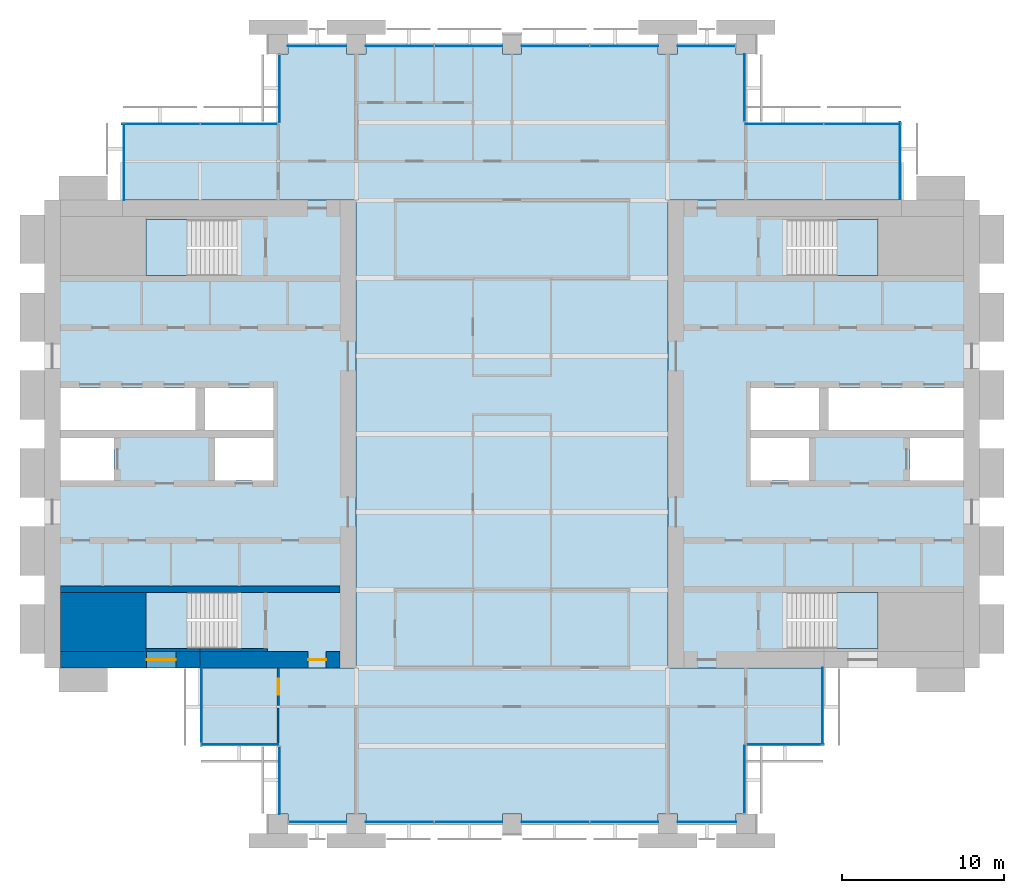
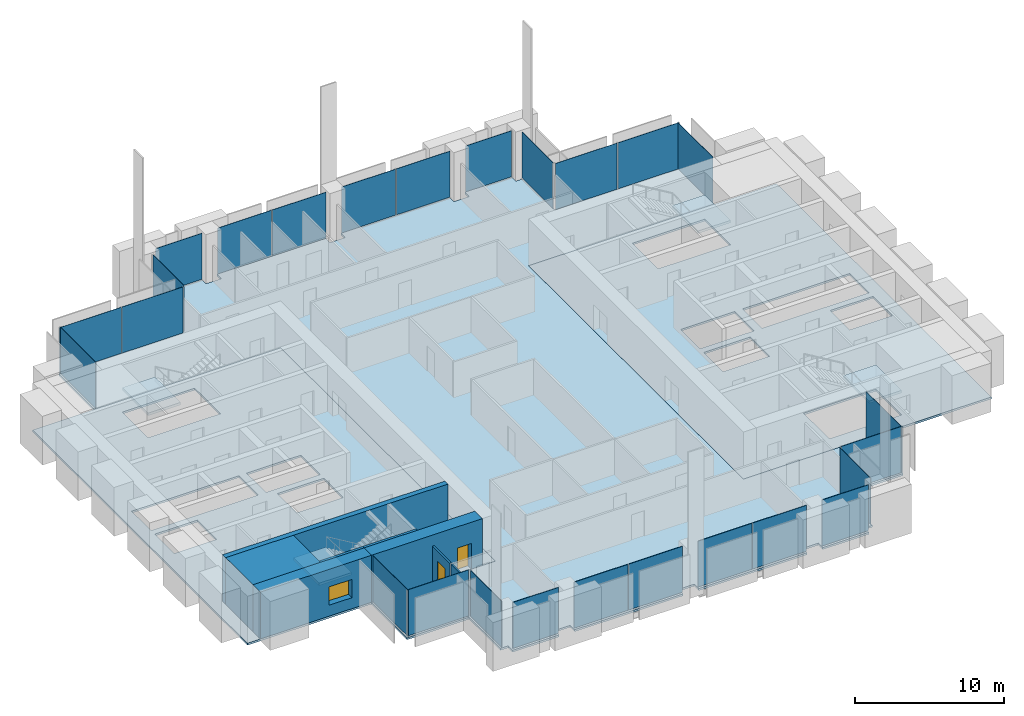
# One storey, part 8 of 14: 26 plates, 8 walls, 7 slabs, 2 doors, 1 window, 3 openings, 18 elements without a shape of their own.
"""IFC4 building model written with IfcOpenShell, lengths in metres."""

from ifc_helpers import new_model, si_unit, direction, frame, frame_2d, origin, origin_2d, place, context, subcontext, project, spatial, polyline, rectangle, outline, extrude, material, layer, layer_set, type_object, element, fill, aggregate, save


model = new_model("IFC4")

# Units and contexts
model_context = context("Model", 3, precision=1e-05, world=origin(), true_north=direction((0.0, 1.0)))
body_context = subcontext(model_context, "Body", "Model", "MODEL_VIEW")
ifc_project = project(units=[si_unit("LENGTHUNIT", "METRE"), si_unit("AREAUNIT", "SQUARE_METRE"), si_unit("VOLUMEUNIT", "CUBIC_METRE"), si_unit("PLANEANGLEUNIT", "RADIAN"), si_unit("MASSUNIT", "GRAM", prefix="KILO")], contexts=[model_context])

# Site, building, storey
site_placement = place(None, origin())
site = spatial("IfcSite", under=ifc_project, at=site_placement, CompositionType="ELEMENT")
building_placement = place(site_placement, origin())
building = spatial("IfcBuilding", under=site, at=building_placement, Name="Baori Bourse Tower", CompositionType="ELEMENT")
storey_placement = place(building_placement, frame((0.0, 0.0, 132.10009765625)))
storey = spatial("IfcBuildingStorey", under=building, at=storey_placement, Name="L28", CompositionType="ELEMENT", Elevation=132.10009765625)

# Curtain wall, plates
ifc_material_1 = material(Name="Pale anodised aluminium", Category="aluminium")
curtain_wall_type_1 = type_object("IfcCurtainWallType", Name="CW1 Curtain wall", PredefinedType="NOTDEFINED", material=ifc_material_1)
curtain_wall_1_placement = place(storey_placement, origin())
curtain_wall_1 = element("IfcCurtainWall", 1, at=curtain_wall_1_placement, inside=storey, type_object=curtain_wall_type_1, Name="Curtain wall CW1 L28 4", PredefinedType="NOTDEFINED")
ifc_material_2 = material(Name="Clear glass", Category="glass")
ifc_layer_1 = layer(ifc_material_2, 0.033935546875)
ifc_layer_set_1 = layer_set([ifc_layer_1], Name="CW1 Curtain wall panel")
plate_type_1 = type_object("IfcPlateType", Name="CW1 Curtain wall panel", PredefinedType="CURTAIN_PANEL", material=ifc_layer_set_1)
plate_1_placement = place(storey_placement, frame((40.77001953125, 47.89990234375, 0.080078125), z_axis=(0.0, 0.0, 1.0), x_axis=(-1.0, 0.0, 0.0)))
plate_1 = element("IfcPlate", 2, at=plate_1_placement, type_object=plate_type_1, Name="Curtain wall CW1 panel", PredefinedType="CURTAIN_PANEL", context=body_context, shape_type="SweptSolid", body=[
    extrude(rectangle(XDim=3.5400390625, YDim=0.033935546875, at=origin_2d()), origin(), (0.0, 0.0, 1.0), 3.760009765625),
])
plate_2_placement = place(storey_placement, frame((35.715087890625, 47.89990234375, 0.080078125), z_axis=(0.0, 0.0, 1.0), x_axis=(-1.0, 0.0, 0.0)))
plate_2 = element("IfcPlate", 3, at=plate_2_placement, type_object=plate_type_1, Name="Curtain wall CW1 panel", PredefinedType="CURTAIN_PANEL", context=body_context, shape_type="SweptSolid", body=[
    extrude(rectangle(XDim=4.169921875, YDim=0.033935546875, at=origin_2d()), origin(), (0.0, 0.0, 1.0), 3.760009765625),
])
plate_3_placement = place(storey_placement, frame((31.485107421875, 47.89990234375, 0.080078125), z_axis=(0.0, 0.0, 1.0), x_axis=(-1.0, 0.0, 0.0)))
plate_3 = element("IfcPlate", 4, at=plate_3_placement, type_object=plate_type_1, Name="Curtain wall CW1 panel", PredefinedType="CURTAIN_PANEL", context=body_context, shape_type="SweptSolid", body=[
    extrude(rectangle(XDim=4.169921875, YDim=0.033935546875, at=origin_2d()), origin(), (0.0, 0.0, 1.0), 3.760009765625),
])
plate_4_placement = place(storey_placement, frame((26.114990234375, 47.89990234375, 0.080078125), z_axis=(0.0, 0.0, 1.0), x_axis=(-1.0, 0.0, 0.0)))
plate_4 = element("IfcPlate", 5, at=plate_4_placement, type_object=plate_type_1, Name="Curtain wall CW1 panel", PredefinedType="CURTAIN_PANEL", context=body_context, shape_type="SweptSolid", body=[
    extrude(rectangle(XDim=4.169921875, YDim=0.033935546875, at=origin_2d()), origin(), (0.0, 0.0, 1.0), 3.760009765625),
])
plate_5_placement = place(storey_placement, frame((21.885009765625, 47.89990234375, 0.080078125), z_axis=(0.0, 0.0, 1.0), x_axis=(-1.0, 0.0, 0.0)))
plate_5 = element("IfcPlate", 6, at=plate_5_placement, type_object=plate_type_1, Name="Curtain wall CW1 panel", PredefinedType="CURTAIN_PANEL", context=body_context, shape_type="SweptSolid", body=[
    extrude(rectangle(XDim=4.169921875, YDim=0.033935546875, at=origin_2d()), origin(), (0.0, 0.0, 1.0), 3.760009765625),
])
plate_6_placement = place(storey_placement, frame((16.800048828125, 47.89990234375, 0.080078125), z_axis=(0.0, 0.0, 1.0), x_axis=(-1.0, 0.0, 0.0)))
plate_6 = element("IfcPlate", 7, at=plate_6_placement, type_object=plate_type_1, Name="Curtain wall CW1 panel", PredefinedType="CURTAIN_PANEL", context=body_context, shape_type="SweptSolid", body=[
    extrude(rectangle(XDim=3.60009765625, YDim=0.033935546875, at=origin_2d()), origin(), (0.0, 0.0, 1.0), 3.760009765625),
])
aggregate(curtain_wall_1, [plate_1, plate_2, plate_3, plate_4, plate_5, plate_6])

curtain_wall_2_placement = place(storey_placement, origin())
curtain_wall_2 = element("IfcCurtainWall", 8, at=curtain_wall_2_placement, inside=storey, type_object=curtain_wall_type_1, Name="Curtain wall CW1 L28 11", PredefinedType="NOTDEFINED")
plate_7_placement = place(storey_placement, frame((16.830078125, 0.10009765625, 0.080078125), z_axis=(0.0, 0.0, 1.0), x_axis=(1.0, 0.0, 0.0)))
plate_7 = element("IfcPlate", 9, at=plate_7_placement, type_object=plate_type_1, Name="Curtain wall CW1 panel", PredefinedType="CURTAIN_PANEL", context=body_context, shape_type="SweptSolid", body=[
    extrude(rectangle(XDim=3.5400390625, YDim=0.033935546875, at=origin_2d()), origin(), (0.0, 0.0, 1.0), 3.760009765625),
])
plate_8_placement = place(storey_placement, frame((21.885009765625, 0.10009765625, 0.080078125), z_axis=(0.0, 0.0, 1.0), x_axis=(1.0, 0.0, 0.0)))
plate_8 = element("IfcPlate", 10, at=plate_8_placement, type_object=plate_type_1, Name="Curtain wall CW1 panel", PredefinedType="CURTAIN_PANEL", context=body_context, shape_type="SweptSolid", body=[
    extrude(rectangle(XDim=4.169921875, YDim=0.033935546875, at=origin_2d()), origin(), (0.0, 0.0, 1.0), 3.760009765625),
])
plate_9_placement = place(storey_placement, frame((26.114990234375, 0.10009765625, 0.080078125), z_axis=(0.0, 0.0, 1.0), x_axis=(1.0, 0.0, 0.0)))
plate_9 = element("IfcPlate", 11, at=plate_9_placement, type_object=plate_type_1, Name="Curtain wall CW1 panel", PredefinedType="CURTAIN_PANEL", context=body_context, shape_type="SweptSolid", body=[
    extrude(rectangle(XDim=4.169921875, YDim=0.033935546875, at=origin_2d()), origin(), (0.0, 0.0, 1.0), 3.760009765625),
])
plate_10_placement = place(storey_placement, frame((31.485107421875, 0.10009765625, 0.080078125), z_axis=(0.0, 0.0, 1.0), x_axis=(1.0, 0.0, 0.0)))
plate_10 = element("IfcPlate", 12, at=plate_10_placement, type_object=plate_type_1, Name="Curtain wall CW1 panel", PredefinedType="CURTAIN_PANEL", context=body_context, shape_type="SweptSolid", body=[
    extrude(rectangle(XDim=4.169921875, YDim=0.033935546875, at=origin_2d()), origin(), (0.0, 0.0, 1.0), 3.760009765625),
])
plate_11_placement = place(storey_placement, frame((35.715087890625, 0.10009765625, 0.080078125), z_axis=(0.0, 0.0, 1.0), x_axis=(1.0, 0.0, 0.0)))
plate_11 = element("IfcPlate", 13, at=plate_11_placement, type_object=plate_type_1, Name="Curtain wall CW1 panel", PredefinedType="CURTAIN_PANEL", context=body_context, shape_type="SweptSolid", body=[
    extrude(rectangle(XDim=4.169921875, YDim=0.033935546875, at=origin_2d()), origin(), (0.0, 0.0, 1.0), 3.760009765625),
])
plate_12_placement = place(storey_placement, frame((40.800048828125, 0.10009765625, 0.080078125), z_axis=(0.0, 0.0, 1.0), x_axis=(1.0, 0.0, 0.0)))
plate_12 = element("IfcPlate", 14, at=plate_12_placement, type_object=plate_type_1, Name="Curtain wall CW1 panel", PredefinedType="CURTAIN_PANEL", context=body_context, shape_type="SweptSolid", body=[
    extrude(rectangle(XDim=3.60009765625, YDim=0.033935546875, at=origin_2d()), origin(), (0.0, 0.0, 1.0), 3.760009765625),
])
aggregate(curtain_wall_2, [plate_7, plate_8, plate_9, plate_10, plate_11, plate_12])

# Curtain wall, plate
ifc_material_3 = material(Name="Pale anodised aluminium", Category="aluminium")
curtain_wall_type_2 = type_object("IfcCurtainWallType", Name="CW2 Curtain wall", PredefinedType="NOTDEFINED", material=ifc_material_3)
curtain_wall_3_placement = place(storey_placement, origin())
curtain_wall_3 = element("IfcCurtainWall", 15, at=curtain_wall_3_placement, inside=storey, type_object=curtain_wall_type_2, Name="Curtain wall CW2 L28 1", PredefinedType="NOTDEFINED")
ifc_material_4 = material(Name="Clear glass", Category="glass")
ifc_layer_2 = layer(ifc_material_4, 0.030029296875)
ifc_layer_set_2 = layer_set([ifc_layer_2], Name="CW2 Curtain wall panel")
plate_type_2 = type_object("IfcPlateType", Name="CW2 Curtain wall panel", PredefinedType="CURTAIN_PANEL", material=ifc_layer_set_2)
plate_13_placement = place(storey_placement, frame((52.7099609375, 40.827392578125, 0.06982421875), z_axis=(0.0, 0.0, 1.0), x_axis=(0.0, 1.0, 0.0)))
plate_13 = element("IfcPlate", 16, at=plate_13_placement, type_object=plate_type_2, Name="Curtain wall CW2 panel", PredefinedType="CURTAIN_PANEL", context=body_context, shape_type="SweptSolid", body=[
    extrude(rectangle(XDim=4.7451171875, YDim=0.030029296875, at=origin_2d()), origin(), (0.0, 0.0, 1.0), 3.77001953125),
])
aggregate(curtain_wall_3, [plate_13])

# Curtain wall, plates
curtain_wall_4_placement = place(storey_placement, origin())
curtain_wall_4 = element("IfcCurtainWall", 17, at=curtain_wall_4_placement, inside=storey, type_object=curtain_wall_type_2, Name="Curtain wall CW2 L28 2", PredefinedType="NOTDEFINED")
plate_14_placement = place(storey_placement, frame((50.38623046875, 43.110107421875, 0.06982421875), z_axis=(0.0, 0.0, 1.0), x_axis=(-1.0, 0.0, 0.0)))
plate_14 = element("IfcPlate", 18, at=plate_14_placement, type_object=plate_type_2, Name="Curtain wall CW2 panel", PredefinedType="CURTAIN_PANEL", context=body_context, shape_type="SweptSolid", body=[
    extrude(rectangle(XDim=4.717529296875, YDim=0.030029296875, at=origin_2d()), origin(), (0.0, 0.0, 1.0), 3.77001953125),
])
plate_15_placement = place(storey_placement, frame((45.586181640625, 43.110107421875, 0.06982421875), z_axis=(0.0, 0.0, 1.0), x_axis=(-1.0, 0.0, 0.0)))
plate_15 = element("IfcPlate", 19, at=plate_15_placement, type_object=plate_type_2, Name="Curtain wall CW2 panel", PredefinedType="CURTAIN_PANEL", context=body_context, shape_type="SweptSolid", body=[
    extrude(rectangle(XDim=4.7724609375, YDim=0.030029296875, at=origin_2d()), origin(), (0.0, 0.0, 1.0), 3.77001953125),
])
aggregate(curtain_wall_4, [plate_14, plate_15])

# Curtain wall, plate
curtain_wall_5_placement = place(storey_placement, origin())
curtain_wall_5 = element("IfcCurtainWall", 20, at=curtain_wall_5_placement, inside=storey, type_object=curtain_wall_type_2, Name="Curtain wall CW2 L28 3", PredefinedType="NOTDEFINED")
plate_16_placement = place(storey_placement, frame((43.110107421875, 45.327392578125, 0.06982421875), z_axis=(0.0, 0.0, 1.0), x_axis=(0.0, 1.0, 0.0)))
plate_16 = element("IfcPlate", 21, at=plate_16_placement, type_object=plate_type_2, Name="Curtain wall CW2 panel", PredefinedType="CURTAIN_PANEL", context=body_context, shape_type="SweptSolid", body=[
    extrude(rectangle(XDim=4.14501953125, YDim=0.030029296875, at=origin_2d()), origin(), (0.0, 0.0, 1.0), 3.77001953125),
])
aggregate(curtain_wall_5, [plate_16])

curtain_wall_6_placement = place(storey_placement, origin())
curtain_wall_6 = element("IfcCurtainWall", 22, at=curtain_wall_6_placement, inside=storey, type_object=curtain_wall_type_2, Name="Curtain wall CW2 L28 5", PredefinedType="NOTDEFINED")
plate_17_placement = place(storey_placement, frame((14.489990234375, 45.2724609375, 0.06982421875), z_axis=(0.0, 0.0, 1.0), x_axis=(0.0, -1.0, 0.0)))
plate_17 = element("IfcPlate", 23, at=plate_17_placement, type_object=plate_type_2, Name="Curtain wall CW2 panel", PredefinedType="CURTAIN_PANEL", context=body_context, shape_type="SweptSolid", body=[
    extrude(rectangle(XDim=4.14501953125, YDim=0.030029296875, at=origin_2d()), origin(), (0.0, 0.0, 1.0), 3.77001953125),
])
aggregate(curtain_wall_6, [plate_17])

# Curtain wall, plates
curtain_wall_7_placement = place(storey_placement, origin())
curtain_wall_7 = element("IfcCurtainWall", 24, at=curtain_wall_7_placement, inside=storey, type_object=curtain_wall_type_2, Name="Curtain wall CW2 L28 6", PredefinedType="NOTDEFINED")
plate_18_placement = place(storey_placement, frame((11.986328125, 43.110107421875, 0.06982421875), z_axis=(0.0, 0.0, 1.0), x_axis=(-1.0, 0.0, 0.0)))
plate_18 = element("IfcPlate", 25, at=plate_18_placement, type_object=plate_type_2, Name="Curtain wall CW2 panel", PredefinedType="CURTAIN_PANEL", context=body_context, shape_type="SweptSolid", body=[
    extrude(rectangle(XDim=4.717529296875, YDim=0.030029296875, at=origin_2d()), origin(), (0.0, 0.0, 1.0), 3.77001953125),
])
plate_19_placement = place(storey_placement, frame((7.186279296875, 43.110107421875, 0.06982421875), z_axis=(0.0, 0.0, 1.0), x_axis=(-1.0, 0.0, 0.0)))
plate_19 = element("IfcPlate", 26, at=plate_19_placement, type_object=plate_type_2, Name="Curtain wall CW2 panel", PredefinedType="CURTAIN_PANEL", context=body_context, shape_type="SweptSolid", body=[
    extrude(rectangle(XDim=4.7724609375, YDim=0.030029296875, at=origin_2d()), origin(), (0.0, 0.0, 1.0), 3.77001953125),
])
aggregate(curtain_wall_7, [plate_18, plate_19])

# Curtain wall, plate
curtain_wall_8_placement = place(storey_placement, origin())
curtain_wall_8 = element("IfcCurtainWall", 27, at=curtain_wall_8_placement, inside=storey, type_object=curtain_wall_type_2, Name="Curtain wall CW2 L28 7", PredefinedType="NOTDEFINED")
plate_20_placement = place(storey_placement, frame((4.889892578125, 40.7724609375, 0.06982421875), z_axis=(0.0, 0.0, 1.0), x_axis=(0.0, -1.0, 0.0)))
plate_20 = element("IfcPlate", 28, at=plate_20_placement, type_object=plate_type_2, Name="Curtain wall CW2 panel", PredefinedType="CURTAIN_PANEL", context=body_context, shape_type="SweptSolid", body=[
    extrude(rectangle(XDim=4.7451171875, YDim=0.030029296875, at=origin_2d()), origin(), (0.0, 0.0, 1.0), 3.77001953125),
])
aggregate(curtain_wall_8, [plate_20])

curtain_wall_9_placement = place(storey_placement, origin())
curtain_wall_9 = element("IfcCurtainWall", 29, at=curtain_wall_9_placement, inside=storey, type_object=curtain_wall_type_2, Name="Curtain wall CW2 L28 8", PredefinedType="NOTDEFINED")
plate_21_placement = place(storey_placement, frame((9.68994140625, 7.172607421875, 0.06982421875), z_axis=(0.0, 0.0, 1.0), x_axis=(0.0, -1.0, 0.0)))
plate_21 = element("IfcPlate", 30, at=plate_21_placement, type_object=plate_type_2, Name="Curtain wall CW2 panel", PredefinedType="CURTAIN_PANEL", context=body_context, shape_type="SweptSolid", body=[
    extrude(rectangle(XDim=4.7451171875, YDim=0.030029296875, at=origin_2d()), origin(), (0.0, 0.0, 1.0), 3.77001953125),
])
aggregate(curtain_wall_9, [plate_21])

curtain_wall_10_placement = place(storey_placement, origin())
curtain_wall_10 = element("IfcCurtainWall", 31, at=curtain_wall_10_placement, inside=storey, type_object=curtain_wall_type_2, Name="Curtain wall CW2 L28 9", PredefinedType="NOTDEFINED")
plate_22_placement = place(storey_placement, frame((12.027587890625, 4.889892578125, 0.06982421875), z_axis=(0.0, 0.0, 1.0), x_axis=(1.0, 0.0, 0.0)))
plate_22 = element("IfcPlate", 32, at=plate_22_placement, type_object=plate_type_2, Name="Curtain wall CW2 panel", PredefinedType="CURTAIN_PANEL", context=body_context, shape_type="SweptSolid", body=[
    extrude(rectangle(XDim=4.7451171875, YDim=0.030029296875, at=origin_2d()), origin(), (0.0, 0.0, 1.0), 3.77001953125),
])
aggregate(curtain_wall_10, [plate_22])

curtain_wall_11_placement = place(storey_placement, origin())
curtain_wall_11 = element("IfcCurtainWall", 33, at=curtain_wall_11_placement, inside=storey, type_object=curtain_wall_type_2, Name="Curtain wall CW2 L28 10", PredefinedType="NOTDEFINED")
plate_23_placement = place(storey_placement, frame((14.489990234375, 2.672607421875, 0.06982421875), z_axis=(0.0, 0.0, 1.0), x_axis=(0.0, -1.0, 0.0)))
plate_23 = element("IfcPlate", 34, at=plate_23_placement, type_object=plate_type_2, Name="Curtain wall CW2 panel", PredefinedType="CURTAIN_PANEL", context=body_context, shape_type="SweptSolid", body=[
    extrude(rectangle(XDim=4.14501953125, YDim=0.030029296875, at=origin_2d()), origin(), (0.0, 0.0, 1.0), 3.77001953125),
])
aggregate(curtain_wall_11, [plate_23])

curtain_wall_12_placement = place(storey_placement, origin())
curtain_wall_12 = element("IfcCurtainWall", 35, at=curtain_wall_12_placement, inside=storey, type_object=curtain_wall_type_2, Name="Curtain wall CW2 L28 12", PredefinedType="NOTDEFINED")
plate_24_placement = place(storey_placement, frame((43.110107421875, 2.7275390625, 0.06982421875), z_axis=(0.0, 0.0, 1.0), x_axis=(0.0, 1.0, 0.0)))
plate_24 = element("IfcPlate", 36, at=plate_24_placement, type_object=plate_type_2, Name="Curtain wall CW2 panel", PredefinedType="CURTAIN_PANEL", context=body_context, shape_type="SweptSolid", body=[
    extrude(rectangle(XDim=4.14501953125, YDim=0.030029296875, at=origin_2d()), origin(), (0.0, 0.0, 1.0), 3.77001953125),
])
aggregate(curtain_wall_12, [plate_24])

curtain_wall_13_placement = place(storey_placement, origin())
curtain_wall_13 = element("IfcCurtainWall", 37, at=curtain_wall_13_placement, inside=storey, type_object=curtain_wall_type_2, Name="Curtain wall CW2 L28 13", PredefinedType="NOTDEFINED")
plate_25_placement = place(storey_placement, frame((45.62744140625, 4.889892578125, 0.06982421875), z_axis=(0.0, 0.0, 1.0), x_axis=(1.0, 0.0, 0.0)))
plate_25 = element("IfcPlate", 38, at=plate_25_placement, type_object=plate_type_2, Name="Curtain wall CW2 panel", PredefinedType="CURTAIN_PANEL", context=body_context, shape_type="SweptSolid", body=[
    extrude(rectangle(XDim=4.7451171875, YDim=0.030029296875, at=origin_2d()), origin(), (0.0, 0.0, 1.0), 3.77001953125),
])
aggregate(curtain_wall_13, [plate_25])

curtain_wall_14_placement = place(storey_placement, origin())
curtain_wall_14 = element("IfcCurtainWall", 39, at=curtain_wall_14_placement, inside=storey, type_object=curtain_wall_type_2, Name="Curtain wall CW2 L28 14", PredefinedType="NOTDEFINED")
plate_26_placement = place(storey_placement, frame((47.909912109375, 7.2275390625, 0.06982421875), z_axis=(0.0, 0.0, 1.0), x_axis=(0.0, 1.0, 0.0)))
plate_26 = element("IfcPlate", 40, at=plate_26_placement, type_object=plate_type_2, Name="Curtain wall CW2 panel", PredefinedType="CURTAIN_PANEL", context=body_context, shape_type="SweptSolid", body=[
    extrude(rectangle(XDim=4.7451171875, YDim=0.030029296875, at=origin_2d()), origin(), (0.0, 0.0, 1.0), 3.77001953125),
])
aggregate(curtain_wall_14, [plate_26])

# Slabs
ifc_material_5 = material(Name="Concrete f'c 50 MPa", Category="concrete")
ifc_layer_3 = layer(ifc_material_5, 0.159912109375)
ifc_layer_set_3 = layer_set([ifc_layer_3], Name="Core slab 160")
slab_type_1 = type_object("IfcSlabType", Name="Core slab 160", PredefinedType="FLOOR", material=ifc_layer_set_3)
slab_1_placement = place(storey_placement, frame((0.0, 0.0, -0.16015625)))
element("IfcSlab", 41, at=slab_1_placement, inside=storey, type_object=slab_type_1, Name="Core floor slab W01", PredefinedType="FLOOR", context=body_context, shape_type="SweptSolid", body=[
    extrude(outline(polyline([(0.0, 38.39990234375), (0.0, 9.60009765625), (19.199951171875, 9.60009765625), (19.199951171875, 38.39990234375), (0.0, 38.39990234375)]), holes=[polyline([(10.5, 21.14990234375), (10.5, 23.75), (14.10009765625, 23.75), (14.10009765625, 21.14990234375), (10.5, 21.14990234375)]), polyline([(14.10009765625, 24.25), (9.89990234375, 24.25), (9.89990234375, 26.85009765625), (14.10009765625, 26.85009765625), (14.10009765625, 24.25)]), polyline([(6.25, 14.25), (11.84912109375, 14.25), (11.84912109375, 10.800048828125), (6.25, 10.800048828125), (6.25, 14.25)]), polyline([(11.84912109375, 37.199951171875), (11.84912109375, 33.75), (6.25, 33.75), (6.25, 37.199951171875), (11.84912109375, 37.199951171875)]), polyline([(1.0, 26.85009765625), (9.300048828125, 26.85009765625), (9.300048828125, 24.25), (1.0, 24.25), (1.0, 26.85009765625)]), polyline([(4.300048828125, 23.75), (4.300048828125, 21.14990234375), (1.0, 21.14990234375), (1.0, 23.75), (4.300048828125, 23.75)])]), origin(), (0.0, 0.0, 1.0), 0.16015625),
])
slab_2_placement = place(storey_placement, frame((0.0, 0.0, -0.16015625)))
element("IfcSlab", 42, at=slab_2_placement, inside=storey, type_object=slab_type_1, Name="Core floor slab E01", PredefinedType="FLOOR", context=body_context, shape_type="SweptSolid", body=[
    extrude(outline(polyline([(57.60009765625, 38.39990234375), (38.39990234375, 38.39990234375), (38.39990234375, 9.60009765625), (57.60009765625, 9.60009765625), (57.60009765625, 38.39990234375)]), holes=[polyline([(56.60009765625, 21.14990234375), (53.300048828125, 21.14990234375), (53.300048828125, 23.75), (56.60009765625, 23.75), (56.60009765625, 21.14990234375)]), polyline([(56.60009765625, 26.85009765625), (56.60009765625, 24.25), (48.300048828125, 24.25), (48.300048828125, 26.85009765625), (56.60009765625, 26.85009765625)]), polyline([(45.750732421875, 14.25), (51.35009765625, 14.25), (51.35009765625, 10.800048828125), (45.750732421875, 10.800048828125), (45.750732421875, 14.25)]), polyline([(51.35009765625, 37.199951171875), (51.35009765625, 33.75), (45.750732421875, 33.75), (45.750732421875, 37.199951171875), (51.35009765625, 37.199951171875)]), polyline([(43.5, 24.25), (43.5, 26.85009765625), (47.699951171875, 26.85009765625), (47.699951171875, 24.25), (43.5, 24.25)]), polyline([(43.5, 23.75), (47.10009765625, 23.75), (47.10009765625, 21.14990234375), (43.5, 21.14990234375), (43.5, 23.75)])]), origin(), (0.0, 0.0, 1.0), 0.16015625),
])

# Stair, slab
ifc_material_6 = material(Name="Concrete f'c 50 MPa", Category="concrete")
stair_type = type_object("IfcStairType", Name="Core stair", PredefinedType="HALF_TURN_STAIR", material=ifc_material_6)
stair_1_placement = place(storey_placement, origin())
stair_1 = element("IfcStair", 43, at=stair_1_placement, inside=storey, type_object=stair_type, Name="L28 Stair WA", PredefinedType="HALF_TURN_STAIR")
ifc_material_7 = material(Name="Concrete f'c 50 MPa", Category="concrete")
slab_type_2 = type_object("IfcSlabType", Name="Core stair landing", PredefinedType="LANDING", material=ifc_material_7)
slab_3_placement = place(storey_placement, frame((0.0, 0.0, 1.7998046875)))
slab_3 = element("IfcSlab", 44, at=slab_3_placement, type_object=slab_type_2, Name="ST1 landing 1", PredefinedType="LANDING", context=body_context, shape_type="SweptSolid", body=[
    extrude(outline(polyline([(8.77001953125, 14.25), (6.25, 14.25), (6.25, 10.800048828125), (8.77001953125, 10.800048828125), (8.77001953125, 14.25)])), origin(), (0.0, 0.0, 1.0), 0.2001953125),
])
aggregate(stair_1, [slab_3])

stair_2_placement = place(storey_placement, origin())
stair_2 = element("IfcStair", 45, at=stair_2_placement, inside=storey, type_object=stair_type, Name="L28 Stair WB", PredefinedType="HALF_TURN_STAIR")
slab_4_placement = place(storey_placement, frame((0.0, 0.0, 1.7998046875)))
slab_4 = element("IfcSlab", 46, at=slab_4_placement, type_object=slab_type_2, Name="ST2 landing 1", PredefinedType="LANDING", context=body_context, shape_type="SweptSolid", body=[
    extrude(outline(polyline([(8.77001953125, 37.199951171875), (6.25, 37.199951171875), (6.25, 33.75), (8.77001953125, 33.75), (8.77001953125, 37.199951171875)])), origin(), (0.0, 0.0, 1.0), 0.2001953125),
])
aggregate(stair_2, [slab_4])

stair_3_placement = place(storey_placement, origin())
stair_3 = element("IfcStair", 47, at=stair_3_placement, inside=storey, type_object=stair_type, Name="L28 Stair EA", PredefinedType="HALF_TURN_STAIR")
slab_5_placement = place(storey_placement, frame((0.0, 0.0, 1.7998046875)))
slab_5 = element("IfcSlab", 48, at=slab_5_placement, type_object=slab_type_2, Name="ST3 landing 1", PredefinedType="LANDING", context=body_context, shape_type="SweptSolid", body=[
    extrude(outline(polyline([(48.830078125, 10.800048828125), (51.35009765625, 10.800048828125), (51.35009765625, 14.25), (48.830078125, 14.25), (48.830078125, 10.800048828125)])), origin(), (0.0, 0.0, 1.0), 0.2001953125),
])
aggregate(stair_3, [slab_5])

stair_4_placement = place(storey_placement, origin())
stair_4 = element("IfcStair", 49, at=stair_4_placement, inside=storey, type_object=stair_type, Name="L28 Stair EB", PredefinedType="HALF_TURN_STAIR")
slab_6_placement = place(storey_placement, frame((0.0, 0.0, 1.7998046875)))
slab_6 = element("IfcSlab", 50, at=slab_6_placement, type_object=slab_type_2, Name="ST4 landing 1", PredefinedType="LANDING", context=body_context, shape_type="SweptSolid", body=[
    extrude(outline(polyline([(48.830078125, 33.75), (51.35009765625, 33.75), (51.35009765625, 37.199951171875), (48.830078125, 37.199951171875), (48.830078125, 33.75)])), origin(), (0.0, 0.0, 1.0), 0.2001953125),
])
aggregate(stair_4, [slab_6])

# Slab
ifc_material_8 = material(Name="Concrete f'c 40 MPa", Category="concrete")
ifc_layer_4 = layer(ifc_material_8, 0.159912109375)
ifc_layer_set_4 = layer_set([ifc_layer_4], Name="Floor slab 160")
slab_type_3 = type_object("IfcSlabType", Name="Floor slab 160", PredefinedType="FLOOR", material=ifc_layer_set_4)
slab_7_placement = place(storey_placement, frame((0.0, 0.0, -0.16015625)))
element("IfcSlab", 51, at=slab_7_placement, inside=storey, type_object=slab_type_3, Name="Floor slab L28", PredefinedType="FLOOR", context=body_context, shape_type="SweptSolid", body=[
    extrude(outline(polyline([(14.39990234375, 4.800048828125), (9.60009765625, 4.800048828125), (9.60009765625, 9.60009765625), (19.199951171875, 9.60009765625), (19.199951171875, 38.39990234375), (4.800048828125, 38.39990234375), (4.800048828125, 43.199951171875), (14.39990234375, 43.199951171875), (14.39990234375, 47.39990234375), (15.0, 47.39990234375), (15.0, 48.0), (18.60009765625, 48.0), (18.60009765625, 47.39990234375), (19.800048828125, 47.39990234375), (19.800048828125, 48.0), (28.199951171875, 48.0), (28.199951171875, 47.39990234375), (29.39990234375, 47.39990234375), (29.39990234375, 48.0), (37.800048828125, 48.0), (37.800048828125, 47.39990234375), (39.0, 47.39990234375), (39.0, 48.0), (42.60009765625, 48.0), (42.60009765625, 47.39990234375), (43.199951171875, 47.39990234375), (43.199951171875, 43.199951171875), (52.800048828125, 43.199951171875), (52.800048828125, 38.39990234375), (38.39990234375, 38.39990234375), (38.39990234375, 9.60009765625), (48.0, 9.60009765625), (48.0, 4.800048828125), (43.199951171875, 4.800048828125), (43.199951171875, 0.60009765625), (42.60009765625, 0.60009765625), (42.60009765625, 0.0), (39.0, 0.0), (39.0, 0.60009765625), (37.800048828125, 0.60009765625), (37.800048828125, 0.0), (29.39990234375, 0.0), (29.39990234375, 0.60009765625), (28.199951171875, 0.60009765625), (28.199951171875, 0.0), (19.800048828125, 0.0), (19.800048828125, 0.60009765625), (18.60009765625, 0.60009765625), (18.60009765625, 0.0), (15.0, 0.0), (15.0, 0.60009765625), (14.39990234375, 0.60009765625), (14.39990234375, 4.800048828125)])), origin(), (0.0, 0.0, 1.0), 0.16015625),
])

# Wall
ifc_material_9 = material(Name="Concrete f'c 60 MPa", Category="concrete")
wall_type_1 = type_object("IfcWallType", Name="Core corner block f'c 60", PredefinedType="SHEAR", material=ifc_material_9)
wall_1_placement = place(storey_placement, frame((1.0, 12.425048828125, 0.0), z_axis=(0.0, 0.0, 1.0), x_axis=(1.0, 0.0, 0.0)))
element("IfcWall", 52, at=wall_1_placement, inside=storey, type_object=wall_type_1, Name="Core wall W05", PredefinedType="SHEAR", context=body_context, shape_type="SweptSolid", body=[
    extrude(rectangle(XDim=5.25, YDim=3.64990234375, at=frame_2d((2.625, 0.0))), origin(), (0.0, 0.0, 1.0), 3.83984375),
])

# Wall, opening, window
ifc_material_10 = material(Name="Concrete f'c 60 MPa", Category="concrete")
ifc_layer_5 = layer(ifc_material_10, 1.0)
ifc_layer_set_5 = layer_set([ifc_layer_5], Name="Core wall 1000 f'c 60")
wall_type_2 = type_object("IfcWallType", Name="Core wall 1000 f'c 60", PredefinedType="SHEAR", material=ifc_layer_set_5)
wall_2_placement = place(storey_placement, frame((9.60009765625, 10.10009765625, 0.0), z_axis=(0.0, 0.0, 1.0), x_axis=(-1.0, 0.0, 0.0)))
wall_2 = element("IfcWall", 53, at=wall_2_placement, inside=storey, type_object=wall_type_2, Name="Core wall W02", PredefinedType="SHEAR", context=body_context, shape_type="SweptSolid", body=[
    extrude(rectangle(XDim=8.60009765625, YDim=1.0, at=frame_2d((4.300048828125, 0.0))), origin(), (0.0, 0.0, 1.0), 3.83984375),
])
opening_1_placement = place(wall_2_placement, frame((1.5, 0.0, 0.89990234375)))
opening_1 = element("IfcOpeningElement", 54, at=opening_1_placement, cuts=wall_2, Name="Opening L28-KW103", PredefinedType="OPENING", context=body_context, shape_type="SweptSolid", body=[
    extrude(rectangle(XDim=1.800048828125, YDim=1.5, at=frame_2d((0.89990234375, 0.75))), frame((0.0, 0.510009765625, 0.0), z_axis=(0.0, -1.0, 0.0), x_axis=(1.0, 0.0, 0.0)), (0.0, 0.0, 1.0), 1.02001953125),
])
ifc_material_11 = material(Name="Pale anodised aluminium", Category="aluminium")
window_type = type_object("IfcWindowType", Name="Stair window 1800 x 1500", PartitioningType="SINGLE_PANEL", PredefinedType="WINDOW", material=ifc_material_11)
window_placement = place(opening_1_placement, origin())
window = element("IfcWindow", 55, at=window_placement, inside=storey, type_object=window_type, Name="Stair window W L28 3", OverallHeight=1.5, OverallWidth=1.800048828125, PartitioningType="SINGLE_PANEL", PredefinedType="WINDOW", context=body_context, shape_type="SweptSolid", body=[
    extrude(rectangle(XDim=1.800048828125, YDim=1.5, at=frame_2d((0.89990234375, 0.75))), frame((0.0, 0.030029296875, 0.0), z_axis=(0.0, -1.0, 0.0), x_axis=(1.0, 0.0, 0.0)), (0.0, 0.0, 1.0), 0.06005859375),
])
fill(opening_1, window)

# Wall, opening, door
wall_3_placement = place(storey_placement, frame((18.199951171875, 10.10009765625, 0.0), z_axis=(0.0, 0.0, 1.0), x_axis=(-1.0, 0.0, 0.0)))
wall_3 = element("IfcWall", 56, at=wall_3_placement, inside=storey, type_object=wall_type_2, Name="Core wall W03", PredefinedType="SHEAR", context=body_context, shape_type="SweptSolid", body=[
    extrude(rectangle(XDim=8.599853515625, YDim=1.0, at=frame_2d((4.2998046875, 0.0))), origin(), (0.0, 0.0, 1.0), 3.83984375),
])
opening_2_placement = place(wall_3_placement, frame((0.85009765625, 0.0, 0.0)))
opening_2 = element("IfcOpeningElement", 57, at=opening_2_placement, cuts=wall_3, Name="Opening L28-D102", PredefinedType="OPENING", context=body_context, shape_type="SweptSolid", body=[
    extrude(rectangle(XDim=1.10009765625, YDim=2.10009765625, at=frame_2d((0.550048828125, 1.050048828125))), frame((0.0, 0.510009765625, 0.0), z_axis=(0.0, -1.0, 0.0), x_axis=(1.0, 0.0, 0.0)), (0.0, 0.0, 1.0), 1.02001953125),
])
ifc_material_12 = material(Name="Painted steel door", Category="steel")
door_type_1 = type_object("IfcDoorType", Name="Stair door 1100", OperationType="SINGLE_SWING_LEFT", PredefinedType="DOOR", material=ifc_material_12)
door_1_placement = place(opening_2_placement, origin())
door_1 = element("IfcDoor", 58, at=door_1_placement, inside=storey, type_object=door_type_1, Name="Stair vestibule door A W L28", OperationType="SINGLE_SWING_LEFT", OverallHeight=2.10009765625, OverallWidth=1.10009765625, PredefinedType="DOOR", context=body_context, shape_type="SweptSolid", body=[
    extrude(rectangle(XDim=1.10009765625, YDim=2.10009765625, at=frame_2d((0.550048828125, 1.050048828125))), frame((0.0, 0.02490234375, 0.0), z_axis=(0.0, -1.0, 0.0), x_axis=(1.0, 0.0, 0.0)), (0.0, 0.0, 1.0), 0.050048828125),
])
fill(opening_2, door_1)

ifc_material_13 = material(Name="Gypsum board partition")
ifc_layer_6 = layer(ifc_material_13, 0.14990234375)
ifc_layer_set_6 = layer_set([ifc_layer_6], Name="Corridor partition 150")
wall_type_3 = type_object("IfcWallType", Name="Corridor partition 150", PredefinedType="PARTITIONING", material=ifc_layer_set_6)
wall_4_placement = place(storey_placement, frame((14.39990234375, 7.27490234375, 0.0), z_axis=(0.0, 0.0, 1.0), x_axis=(0.0, 1.0, 0.0)))
wall_4 = element("IfcWall", 59, at=wall_4_placement, inside=storey, type_object=wall_type_3, Name="Partition", PredefinedType="PARTITIONING", context=body_context, shape_type="SweptSolid", body=[
    extrude(rectangle(XDim=2.3251953125, YDim=0.14990234375, at=frame_2d((1.16259765625, 0.0))), origin(), (0.0, 0.0, 1.0), 2.935546875),
])
opening_3_placement = place(wall_4_placement, frame((0.66259765625, 0.0, 0.0)))
opening_3 = element("IfcOpeningElement", 60, at=opening_3_placement, cuts=wall_4, Name="Opening L28-D15", PredefinedType="OPENING", context=body_context, shape_type="SweptSolid", body=[
    extrude(rectangle(XDim=1.0, YDim=2.10009765625, at=frame_2d((0.5, 1.050048828125))), frame((0.0, 0.0849609375, 0.0), z_axis=(0.0, -1.0, 0.0), x_axis=(1.0, 0.0, 0.0)), (0.0, 0.0, 1.0), 0.169921875),
])
ifc_material_14 = material(Name="Timber door leaf", Category="wood")
door_type_2 = type_object("IfcDoorType", Name="Door 1000 x 2100", OperationType="SINGLE_SWING_LEFT", PredefinedType="DOOR", material=ifc_material_14)
door_2_placement = place(opening_3_placement, origin())
door_2 = element("IfcDoor", 61, at=door_2_placement, inside=storey, type_object=door_type_2, Name="Door", OperationType="SINGLE_SWING_RIGHT", OverallHeight=2.10009765625, OverallWidth=1.0, PredefinedType="DOOR", context=body_context, shape_type="SweptSolid", body=[
    extrude(rectangle(XDim=1.0, YDim=2.10009765625, at=frame_2d((0.5, 1.050048828125))), frame((0.0, 0.02490234375, 0.0), z_axis=(0.0, -1.0, 0.0), x_axis=(1.0, 0.0, 0.0)), (0.0, 0.0, 1.0), 0.050048828125),
])
fill(opening_3, door_2)

# Walls
ifc_material_15 = material(Name="Gypsum board partition")
ifc_layer_7 = layer(ifc_material_15, 0.125)
ifc_layer_set_7 = layer_set([ifc_layer_7], Name="Partition 125")
wall_type_4 = type_object("IfcWallType", Name="Partition 125", PredefinedType="PARTITIONING", material=ifc_layer_set_7)
wall_5_placement = place(storey_placement, frame((14.39990234375, 4.89990234375, 0.0), z_axis=(0.0, 0.0, 1.0), x_axis=(0.0, 1.0, 0.0)))
element("IfcWall", 62, at=wall_5_placement, inside=storey, type_object=wall_type_4, Name="Partition", PredefinedType="PARTITIONING", context=body_context, shape_type="SweptSolid", body=[
    extrude(rectangle(XDim=2.22509765625, YDim=0.125, at=frame_2d((1.112548828125, 0.0))), origin(), (0.0, 0.0, 1.0), 2.935546875),
])
ifc_material_16 = material(Name="Concrete f'c 60 MPa", Category="concrete")
ifc_layer_8 = layer(ifc_material_16, 0.199951171875)
ifc_layer_set_8 = layer_set([ifc_layer_8], Name="Shaft wall 200 f'c 60")
wall_type_5 = type_object("IfcWallType", Name="Shaft wall 200 f'c 60", PredefinedType="SHEAR", material=ifc_layer_set_8)
wall_6_placement = place(storey_placement, frame((6.25, 10.699951171875, 0.0), z_axis=(0.0, 0.0, 1.0), x_axis=(1.0, 0.0, 0.0)))
element("IfcWall", 63, at=wall_6_placement, inside=storey, type_object=wall_type_5, Name="Core wall W06", PredefinedType="SHEAR", context=body_context, shape_type="SweptSolid", body=[
    extrude(rectangle(XDim=3.35009765625, YDim=0.199951171875, at=frame_2d((1.675048828125, 0.0))), origin(), (0.0, 0.0, 1.0), 3.83984375),
])
wall_7_placement = place(storey_placement, frame((9.60009765625, 10.699951171875, 0.0), z_axis=(0.0, 0.0, 1.0), x_axis=(1.0, 0.0, 0.0)))
element("IfcWall", 64, at=wall_7_placement, inside=storey, type_object=wall_type_5, Name="Core wall W07", PredefinedType="SHEAR", context=body_context, shape_type="SweptSolid", body=[
    extrude(rectangle(XDim=4.14990234375, YDim=0.199951171875, at=frame_2d((2.074951171875, 0.0))), origin(), (0.0, 0.0, 1.0), 3.83984375),
])
ifc_material_17 = material(Name="Concrete f'c 60 MPa", Category="concrete")
ifc_layer_9 = layer(ifc_material_17, 0.39990234375)
ifc_layer_set_9 = layer_set([ifc_layer_9], Name="Shaft wall 400 f'c 60")
wall_type_6 = type_object("IfcWallType", Name="Shaft wall 400 f'c 60", PredefinedType="SHEAR", material=ifc_layer_set_9)
wall_8_placement = place(storey_placement, frame((1.0, 14.449951171875, 0.0), z_axis=(0.0, 0.0, 1.0), x_axis=(1.0, 0.0, 0.0)))
element("IfcWall", 65, at=wall_8_placement, inside=storey, type_object=wall_type_6, Name="Core wall W09", PredefinedType="SHEAR", context=body_context, shape_type="SweptSolid", body=[
    extrude(rectangle(XDim=17.199951171875, YDim=0.39990234375, at=frame_2d((8.60009765625, 0.0))), origin(), (0.0, 0.0, 1.0), 3.83984375),
])

save(model, "model.ifc")
